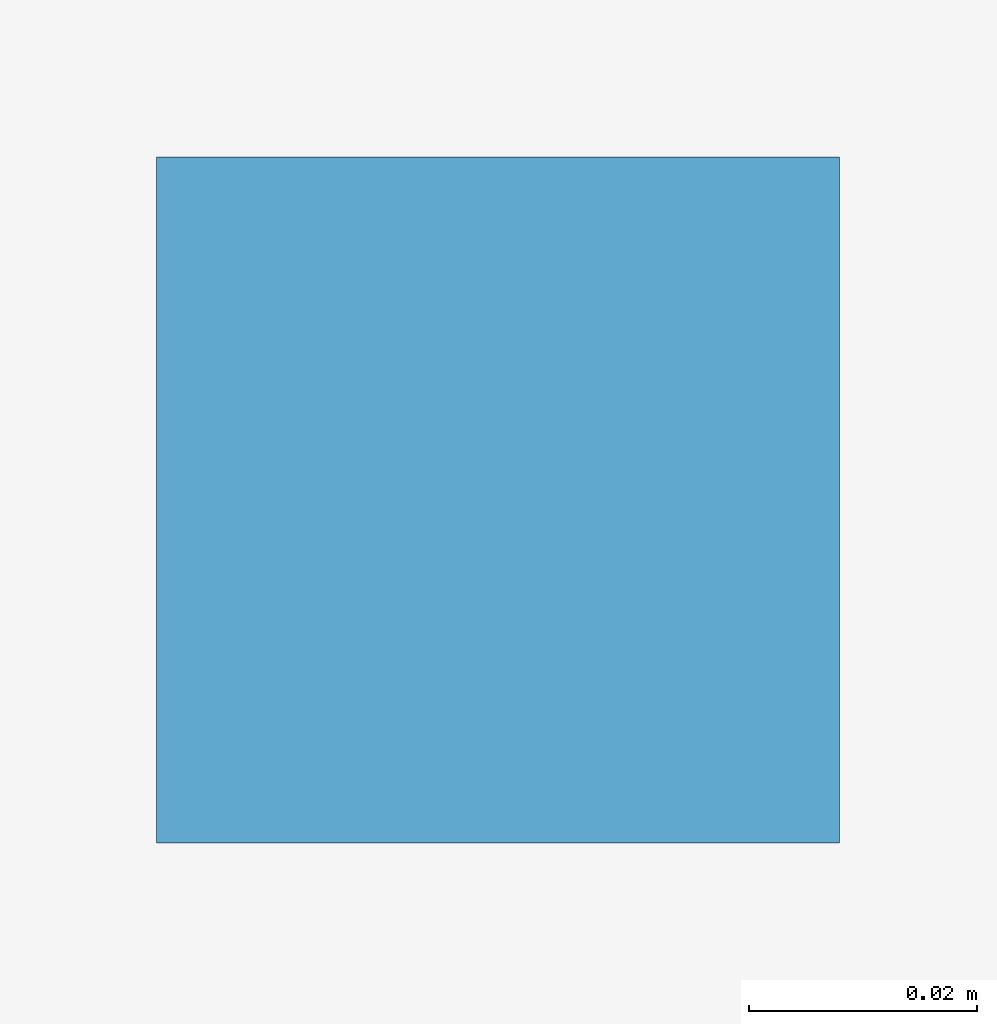
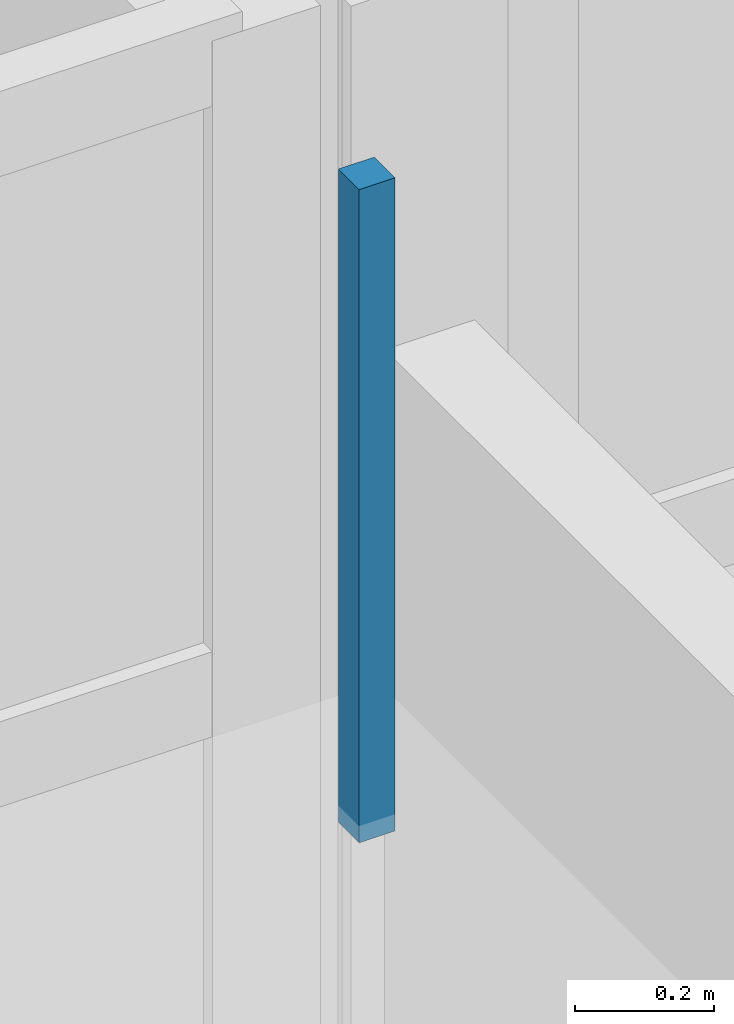
# One storey, part 72 of 93: 1 discrete accessory.
"""IFC4 building model written with IfcOpenShell, lengths in metres."""

import ifcopenshell
import ifcopenshell.guid

model = None  # the IFC model being written
_history = None  # IfcOwnerHistory: only IFC2X3 demands one
_inside = {}  # id of a spatial element -> (the spatial element, [elements in it])
_under = {}  # id of a project, library or spatial element -> (it, [spatial elements below it])
_declared = {}  # id of a project -> (the project, [libraries it declares])
_typed = {}  # id of a type object -> (the type object, [elements of that type])
_made_of = {}  # id of a material, layer set ... -> (it, [elements and type objects made of it])


def new_model(schema):
    """Start an empty IFC model of exactly this schema.

    Asked for "IFC4X3", IfcOpenShell would pick the latest addendum, in which some entities
    have other attributes; the version numbers below select the first issue.
    IFC2X3 requires an IfcOwnerHistory on every rooted entity: one is made here for all.
    """
    global model, _history
    if schema == "IFC4X3":
        model = ifcopenshell.file(schema_version=(4, 3, 0, 0))
    else:
        model = ifcopenshell.file(schema=schema)
    _inside.clear()
    _under.clear()
    _declared.clear()
    _typed.clear()
    _made_of.clear()
    _history = None
    if model.schema == "IFC2X3":
        org = make("IfcOrganization", Name="unknown")
        user = make(
            "IfcPersonAndOrganization",
            ThePerson=make("IfcPerson", FamilyName="unknown"),
            TheOrganization=org,
        )
        app = make(
            "IfcApplication",
            ApplicationDeveloper=org,
            Version="unknown",
            ApplicationFullName="unknown",
            ApplicationIdentifier="unknown",
        )
        _history = make(
            "IfcOwnerHistory",
            OwningUser=user,
            OwningApplication=app,
            ChangeAction="ADDED",
            CreationDate=0,
        )
    return model


def make(cls, **values):
    """One entity of the class cls with the attributes given. An attribute that is None is left unset."""
    return model.create_entity(
        cls, **{name: value for name, value in values.items() if value is not None}
    )


def rooted(cls, **values):
    """An entity with a GlobalId (a new one), such as an element, a storey or a relation."""
    return make(cls, GlobalId=ifcopenshell.guid.new(), OwnerHistory=_history, **values)


def si_unit(unit_type, name, prefix=None):
    """IfcSIUnit, for example si_unit("LENGTHUNIT", "METRE", prefix="MILLI")."""
    return make("IfcSIUnit", UnitType=unit_type, Prefix=prefix, Name=name)


def assignment(units):
    """IfcUnitAssignment: the units of a project."""
    return None if units is None else make("IfcUnitAssignment", Units=units)


def point(xyz):
    """IfcCartesianPoint."""
    return None if xyz is None else make("IfcCartesianPoint", Coordinates=xyz)


def direction(xyz):
    """IfcDirection."""
    return None if xyz is None else make("IfcDirection", DirectionRatios=xyz)


def frame(location, z_axis=None, x_axis=None):
    """IfcAxis2Placement3D, a coordinate frame: its origin and axes. An axis left out is left unset."""
    return make(
        "IfcAxis2Placement3D",
        Location=point(location),
        Axis=direction(z_axis),
        RefDirection=direction(x_axis),
    )


def origin():
    """The frame at (0, 0, 0) with its axes left unset."""
    return frame((0.0, 0.0, 0.0))


def place(relative_to, where):
    """IfcLocalPlacement: puts the frame where relative to a parent placement (None: the world)."""
    return make(
        "IfcLocalPlacement", PlacementRelTo=relative_to, RelativePlacement=where
    )


def context(
    kind, dimensions, precision=None, world=None, true_north=None, identifier=None
):
    """IfcGeometricRepresentationContext, for example the 3D "Model" context."""
    return make(
        "IfcGeometricRepresentationContext",
        ContextIdentifier=identifier,
        ContextType=kind,
        CoordinateSpaceDimension=dimensions,
        Precision=precision,
        WorldCoordinateSystem=world,
        TrueNorth=true_north,
    )


def subcontext(parent, identifier, kind, view, scale=None):
    """IfcGeometricRepresentationSubContext, for example "Body" below "Model"."""
    return make(
        "IfcGeometricRepresentationSubContext",
        ContextIdentifier=identifier,
        ContextType=kind,
        ParentContext=parent,
        TargetScale=scale,
        TargetView=view,
    )


def project(units=None, contexts=None):
    """IfcProject with its units and contexts."""
    return rooted(
        "IfcProject",
        Name="project",
        RepresentationContexts=contexts,
        UnitsInContext=assignment(units),
    )


def spatial(cls, under=None, at=None, **own):
    """A site, building, storey or space (cls), placed at a placement, below another one or the project."""
    s = rooted(cls, ObjectPlacement=at, **own)
    if under is not None:
        _under.setdefault(under.id(), (under, []))[1].append(s)
    return s


def polyline(points):
    """IfcPolyline through the points."""
    return make("IfcPolyline", Points=[point(p) for p in points])


def outline(outer, holes=None, kind="AREA"):
    """IfcArbitraryClosedProfileDef: a profile drawn as a closed curve; with holes, ...WithVoids."""
    if holes is None:
        return make("IfcArbitraryClosedProfileDef", ProfileType=kind, OuterCurve=outer)
    return make(
        "IfcArbitraryProfileDefWithVoids",
        ProfileType=kind,
        OuterCurve=outer,
        InnerCurves=holes,
    )


def extrude(swept, where, along, depth):
    """IfcExtrudedAreaSolid: the profile swept, set in the frame where, extruded along a direction by depth."""
    return make(
        "IfcExtrudedAreaSolid",
        SweptArea=swept,
        Position=where,
        ExtrudedDirection=direction(along),
        Depth=depth,
    )


def shape(context_of_items, identifier, shape_type, items):
    """IfcShapeRepresentation: the items that make up one representation, for example the "Body"."""
    return make(
        "IfcShapeRepresentation",
        ContextOfItems=context_of_items,
        RepresentationIdentifier=identifier,
        RepresentationType=shape_type,
        Items=items,
    )


def material(Name=None, Category=None):
    """IfcMaterial."""
    return make("IfcMaterial", Name=Name, Category=Category)


def made_of(thing, what):
    """Note that an element or type object is made of a material, layer set ...; save() writes the relation."""
    if what is not None:
        _made_of.setdefault(what.id(), (what, []))[1].append(thing)
    return thing


def type_object(cls, material=None, **own):
    """A type object (cls), such as IfcWallType, which elements share."""
    return made_of(rooted(cls, **own), material)


def element(
    cls,
    number,
    at=None,
    inside=None,
    cuts=None,
    type_object=None,
    material=None,
    context=None,
    identifier="Body",
    shape_type=None,
    held_by="IfcProductDefinitionShape",
    body=None,
    shapes=None,
    **own,
):
    """One element of the class cls, such as IfcWall. Its Tag is "e" and its number.

    at: its placement. inside: the storey or other place that contains it. cuts: it is an
    opening in that element (IfcRelVoidsElement). A single representation is given by context,
    identifier, shape_type and body (its items); several are given by shapes. held_by: the class
    of the entity that holds the representations. save() writes the other relations.
    """
    e = rooted(cls, Tag="e%d" % number, ObjectPlacement=at, **own)
    if body is not None:
        shapes = [shape(context, identifier, shape_type, body)]
    if shapes is not None:
        e.Representation = make(held_by, Representations=shapes)
    if inside is not None:
        _inside.setdefault(inside.id(), (inside, []))[1].append(e)
    if cuts is not None:
        rooted(
            "IfcRelVoidsElement", RelatingBuildingElement=cuts, RelatedOpeningElement=e
        )
    if type_object is not None:
        _typed.setdefault(type_object.id(), (type_object, []))[1].append(e)
    return made_of(e, material)


def aggregate(whole, parts):
    """IfcRelAggregates: a whole, such as a stair, and the parts it consists of."""
    return rooted("IfcRelAggregates", RelatingObject=whole, RelatedObjects=parts)


def save(model, path):
    """Write the relations noted so far, then the file.

    IfcRelAggregates (storeys below a building ...), IfcRelContainedInSpatialStructure (elements
    in a storey), IfcRelDefinesByType, IfcRelAssociatesMaterial and IfcRelDeclares: one each for
    every whole, place, type object, material and project.
    """
    for whole, parts in _under.values():
        aggregate(whole, parts)
    for where, things in _inside.values():
        rooted(
            "IfcRelContainedInSpatialStructure",
            RelatedElements=things,
            RelatingStructure=where,
        )
    for kind, things in _typed.values():
        rooted("IfcRelDefinesByType", RelatedObjects=things, RelatingType=kind)
    for what, things in _made_of.values():
        rooted("IfcRelAssociatesMaterial", RelatedObjects=things, RelatingMaterial=what)
    for by, libraries in _declared.values():
        rooted("IfcRelDeclares", RelatingContext=by, RelatedDefinitions=libraries)
    model.write(path)


model = new_model("IFC4")

# Units and contexts
model_context = context("Model", 3, precision=1e-05, world=origin(), true_north=direction((0.0, 1.0)))
body_context = subcontext(model_context, "Body", "Model", "MODEL_VIEW")
ifc_project = project(units=[si_unit("LENGTHUNIT", "METRE"), si_unit("AREAUNIT", "SQUARE_METRE"), si_unit("VOLUMEUNIT", "CUBIC_METRE"), si_unit("PLANEANGLEUNIT", "RADIAN"), si_unit("MASSUNIT", "GRAM", prefix="KILO")], contexts=[model_context])

# Site, building, storey
site_placement = place(None, origin())
site = spatial("IfcSite", under=ifc_project, at=site_placement, CompositionType="ELEMENT")
building_placement = place(site_placement, origin())
building = spatial("IfcBuilding", under=site, at=building_placement, Name="Dunescarp Central Library", CompositionType="ELEMENT")
storey_placement = place(building_placement, frame((0.0, 0.0, 14.10009765625)))
storey = spatial("IfcBuildingStorey", under=building, at=storey_placement, Name="L03", CompositionType="ELEMENT", Elevation=14.10009765625)

# Discrete accessory
ifc_material = material(Name="Stainless steel Grade 316L", Category="steel")
discrete_accessory_type = type_object("IfcDiscreteAccessoryType", Name="ARC-ACC-BRK", PredefinedType="BRACKET", material=ifc_material)
discrete_accessory_placement = place(storey_placement, frame((0.0, 0.0, 3.059814453125)))
element("IfcDiscreteAccessory", 1, at=discrete_accessory_placement, inside=storey, type_object=discrete_accessory_type, Name="L03 ceiling hanger CLG-L03-107-H2", PredefinedType="BRACKET", context=body_context, shape_type="SweptSolid", body=[
    extrude(outline(polyline([(89.320068359375, 33.179931640625), (89.3798828125, 33.179931640625), (89.3798828125, 33.239990234375), (89.320068359375, 33.239990234375), (89.320068359375, 33.179931640625)])), origin(), (0.0, 0.0, 1.0), 1.150146484375),
])

save(model, "model.ifc")
